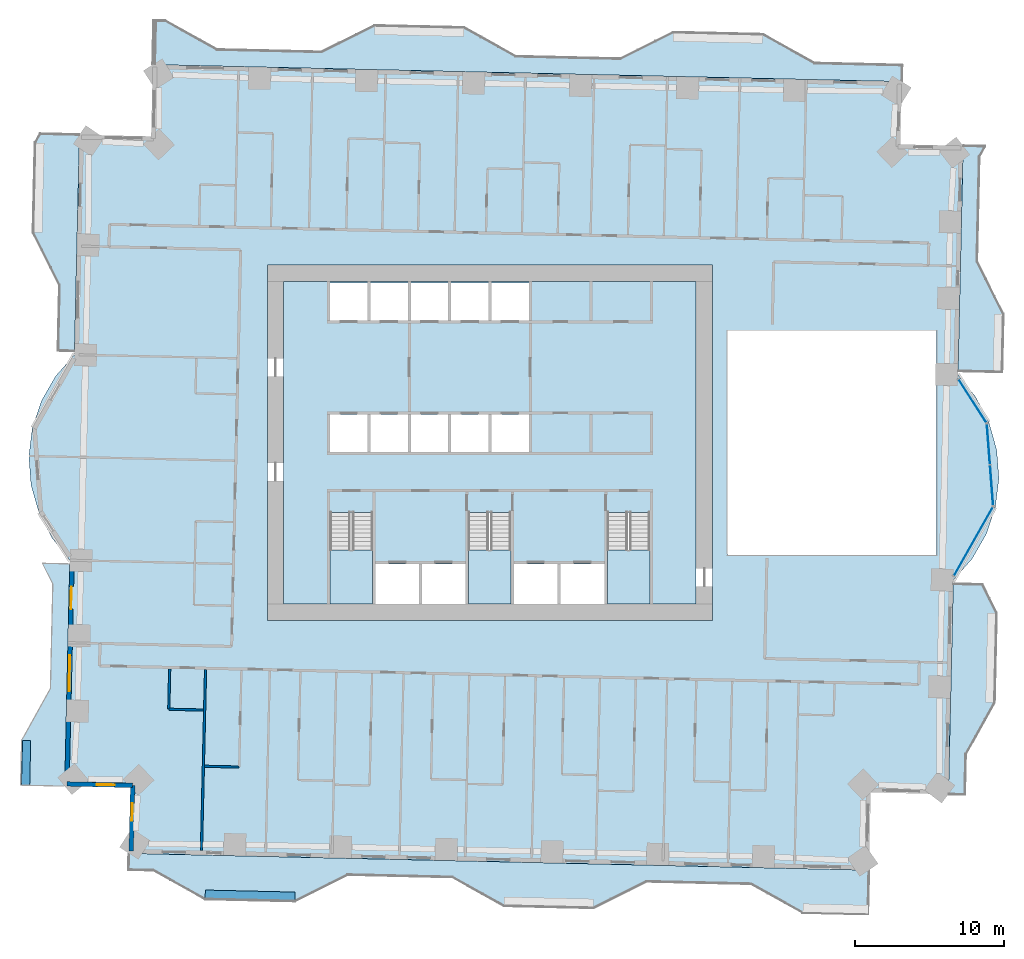
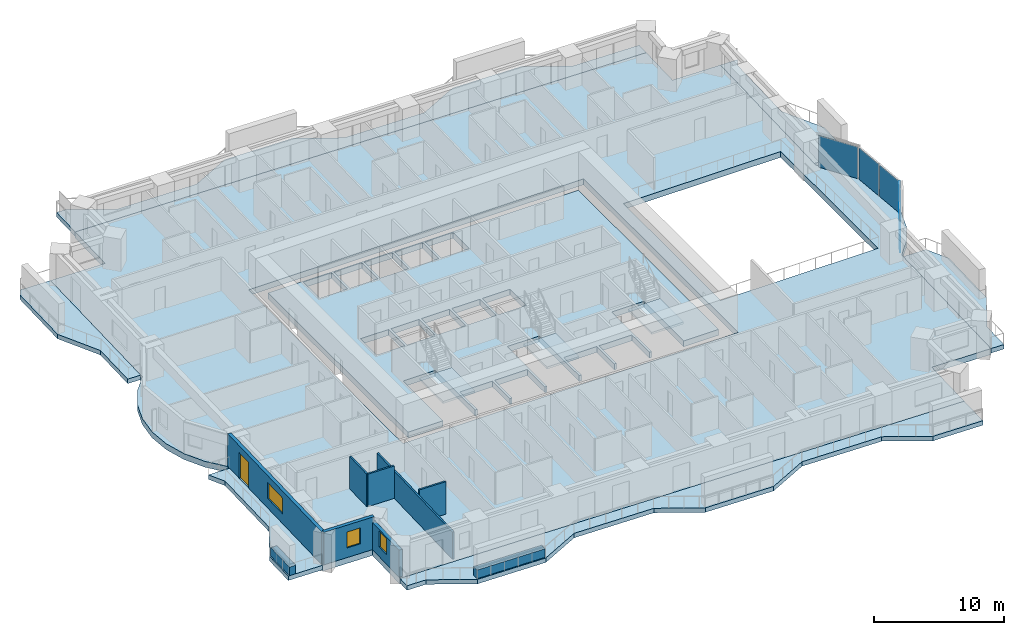
# One storey, part 6 of 19: 11 slabs, 9 walls, 4 plates, 3 windows, 1 door, 4 openings, 6 elements without a shape of their own.
"""IFC4 building model written with IfcOpenShell, lengths in metres."""

from ifc_helpers import new_model, si_unit, direction, frame, frame_2d, origin, origin_2d, place, context, subcontext, project, spatial, polyline, rectangle, outline, extrude, material, layer, layer_set, type_object, element, fill, aggregate, save


model = new_model("IFC4")

# Units and contexts
model_context = context("Model", 3, precision=1e-05, world=origin(), true_north=direction((0.0, 1.0)))
body_context = subcontext(model_context, "Body", "Model", "MODEL_VIEW")
ifc_project = project(units=[si_unit("LENGTHUNIT", "METRE"), si_unit("AREAUNIT", "SQUARE_METRE"), si_unit("VOLUMEUNIT", "CUBIC_METRE"), si_unit("PLANEANGLEUNIT", "RADIAN"), si_unit("MASSUNIT", "GRAM", prefix="KILO")], contexts=[model_context])

# Site, building, storey
site_placement = place(None, origin())
site = spatial("IfcSite", under=ifc_project, at=site_placement, CompositionType="ELEMENT")
building_placement = place(site_placement, origin())
building = spatial("IfcBuilding", under=site, at=building_placement, Name="Mangrove Gate Tower", CompositionType="ELEMENT")
storey_placement = place(building_placement, frame((0.0, 0.0, 63.89990234375)))
storey = spatial("IfcBuildingStorey", under=building, at=storey_placement, Name="L15", CompositionType="ELEMENT", Elevation=63.89990234375)

# Curtain wall, plate
ifc_material_1 = material(Name="Aluminium and glass curtain wall", Category="aluminium")
curtain_wall_type = type_object("IfcCurtainWallType", Name="Atrium garden-court glazing wall", PredefinedType="NOTDEFINED", material=ifc_material_1)
curtain_wall_1_placement = place(storey_placement, origin())
curtain_wall_1 = element("IfcCurtainWall", 1, at=curtain_wall_1_placement, inside=storey, type_object=curtain_wall_type, Name="Atrium garden-court glazing E1f1", PredefinedType="NOTDEFINED")
ifc_material_2 = material(Name="Laminated low-e glass", Category="glass")
ifc_layer_1 = layer(ifc_material_2, 0.031982421875)
ifc_layer_set_1 = layer_set([ifc_layer_1], Name="Atrium garden-court glazing panel 32")
plate_type = type_object("IfcPlateType", Name="Atrium garden-court glazing panel 32", PredefinedType="CURTAIN_PANEL", material=ifc_layer_set_1)
plate_1_placement = place(storey_placement, frame((32.34912109375, -6.600830078125, 0.0), z_axis=(0.0, 0.0, 1.0), x_axis=(0.492603686489, 0.870253760726, 0.0)))
plate_1 = element("IfcPlate", 2, at=plate_1_placement, type_object=plate_type, Name="CWA panel 1.1", PredefinedType="CURTAIN_PANEL", context=body_context, shape_type="SweptSolid", body=[
    extrude(rectangle(XDim=5.258544921875, YDim=0.031982421875, at=origin_2d()), origin(), (0.0, 0.0, 1.0), 2.97998046875),
])
aggregate(curtain_wall_1, [plate_1])

# Curtain wall, plates
curtain_wall_2_placement = place(storey_placement, origin())
curtain_wall_2 = element("IfcCurtainWall", 3, at=curtain_wall_2_placement, inside=storey, type_object=curtain_wall_type, Name="Atrium garden-court glazing E1f2", PredefinedType="NOTDEFINED")
plate_2_placement = place(storey_placement, frame((33.5703125, -2.84521484375, 0.0), z_axis=(0.0, 0.0, 1.0), x_axis=(-0.077023348212, 0.997029289354, 0.0)))
plate_2 = element("IfcPlate", 4, at=plate_2_placement, type_object=plate_type, Name="CWA panel 1.1", PredefinedType="CURTAIN_PANEL", context=body_context, shape_type="SweptSolid", body=[
    extrude(rectangle(XDim=2.681640625, YDim=0.031982421875, at=origin_2d()), origin(), (0.0, 0.0, 1.0), 2.97998046875),
])
plate_3_placement = place(storey_placement, frame((33.3583984375, -0.1015625, 0.0), z_axis=(0.0, 0.0, 1.0), x_axis=(-0.077023348212, 0.997029289354, 0.0)))
plate_3 = element("IfcPlate", 5, at=plate_3_placement, type_object=plate_type, Name="CWA panel 2.1", PredefinedType="CURTAIN_PANEL", context=body_context, shape_type="SweptSolid", body=[
    extrude(rectangle(XDim=2.681640625, YDim=0.031982421875, at=origin_2d()), origin(), (0.0, 0.0, 1.0), 2.97998046875),
])
aggregate(curtain_wall_2, [plate_2, plate_3])

# Curtain wall, plate
curtain_wall_3_placement = place(storey_placement, origin())
curtain_wall_3 = element("IfcCurtainWall", 6, at=curtain_wall_3_placement, inside=storey, type_object=curtain_wall_type, Name="Atrium garden-court glazing E1f3", PredefinedType="NOTDEFINED")
plate_4_placement = place(storey_placement, frame((32.284912109375, 2.806396484375, 0.0), z_axis=(0.0, 0.0, 1.0), x_axis=(-0.540524576597, 0.841328224948, 0.0)))
plate_4 = element("IfcPlate", 7, at=plate_4_placement, type_object=plate_type, Name="CWA panel 1.1", PredefinedType="CURTAIN_PANEL", context=body_context, shape_type="SweptSolid", body=[
    extrude(rectangle(XDim=3.42919921875, YDim=0.031982421875, at=origin_2d()), origin(), (0.0, 0.0, 1.0), 2.97998046875),
])
aggregate(curtain_wall_3, [plate_4])

# Slabs
ifc_material_3 = material(Name="Porcelain tile")
ifc_layer_2 = layer(ifc_material_3, 0.02001953125, Name="Tile finish")
ifc_material_4 = material(Name="Cement sand screed")
ifc_layer_3 = layer(ifc_material_4, 0.0400390625, Name="Screed laid to falls")
ifc_material_5 = material(Name="Bituminous waterproofing membrane")
ifc_layer_4 = layer(ifc_material_5, 0.00390625, Name="Waterproofing")
ifc_material_6 = material(Name="Concrete C40/50", Category="concrete")
ifc_layer_5 = layer(ifc_material_6, 0.340087890625, Name="Balcony structural slab")
ifc_material_7 = material(Name="Limestone", Category="masonry")
ifc_layer_6 = layer(ifc_material_7, 0.01611328125, Name="Soffit lining")
ifc_layer_set_2 = layer_set([ifc_layer_2, ifc_layer_3, ifc_layer_4, ifc_layer_5, ifc_layer_6], Name="Balcony slab 420 C40/50")
slab_type_1 = type_object("IfcSlabType", Name="Balcony slab 420 C40/50", PredefinedType="FLOOR", material=ifc_layer_set_2)
slab_1_placement = place(storey_placement, frame((0.0, 0.0, -0.419921875)))
element("IfcSlab", 8, at=slab_1_placement, inside=storey, type_object=slab_type_1, Name="BALCONY L15 E0", PredefinedType="FLOOR", context=body_context, shape_type="SweptSolid", body=[
    extrude(outline(polyline([(31.819091796875, -23.541015625), (31.8798828125, -20.842041015625), (33.80908203125, -17.385009765625), (33.945068359375, -11.385986328125), (32.9970703125, -9.489990234375), (30.9990234375, -9.444091796875), (30.9560546875, -11.319091796875), (30.820068359375, -17.31689453125), (30.740966796875, -20.81591796875), (30.678955078125, -23.514892578125), (31.819091796875, -23.541015625)])), origin(), (0.0, 0.0, 1.0), 0.419921875),
])
slab_2_placement = place(storey_placement, frame((0.0, 0.0, -0.419921875)))
element("IfcSlab", 9, at=slab_2_placement, inside=storey, type_object=slab_type_1, Name="BALCONY L15 E1", PredefinedType="FLOOR", context=body_context, shape_type="SweptSolid", body=[
    extrude(outline(polyline([(34.31103515625, 4.735107421875), (34.39892578125, 8.60888671875), (32.62890625, 12.14990234375), (32.7880859375, 19.14794921875), (33.174072265625, 19.839111328125), (31.6640625, 19.873046875), (31.64794921875, 19.174072265625), (31.489013671875, 12.175048828125), (31.409912109375, 8.676025390625), (31.322021484375, 4.802978515625), (34.31103515625, 4.735107421875)])), origin(), (0.0, 0.0, 1.0), 0.419921875),
])
slab_3_placement = place(storey_placement, frame((0.0, 0.0, -0.419921875)))
element("IfcSlab", 10, at=slab_3_placement, inside=storey, type_object=slab_type_1, Name="BALCONY L15 N0", PredefinedType="FLOOR", context=body_context, shape_type="SweptSolid", body=[
    extrude(outline(polyline([(27.5859375, 25.306884765625), (21.719970703125, 25.44091796875), (18.262939453125, 27.368896484375), (12.263916015625, 27.506103515625), (8.722900390625, 25.735107421875), (1.72509765625, 25.89404296875), (-1.73193359375, 27.822998046875), (-7.73095703125, 27.958984375), (-11.27197265625, 26.18994140625), (-18.27001953125, 26.347900390625), (-21.72705078125, 28.277099609375), (-22.4951171875, 28.2939453125), (-22.56298828125, 25.304931640625), (27.56005859375, 24.16796875), (27.5859375, 25.306884765625)])), origin(), (0.0, 0.0, 1.0), 0.419921875),
])
slab_4_placement = place(storey_placement, frame((0.0, 0.0, -0.419921875)))
element("IfcSlab", 11, at=slab_4_placement, inside=storey, type_object=slab_type_1, Name="BALCONY L15 W0", PredefinedType="FLOOR", context=body_context, shape_type="SweptSolid", body=[
    extrude(outline(polyline([(-30.14306640625, 20.676025390625), (-30.472900390625, 20.0830078125), (-30.60888671875, 14.0849609375), (-28.839111328125, 10.5439453125), (-28.93798828125, 6.169921875), (-27.799072265625, 6.14404296875), (-27.698974609375, 10.51806640625), (-27.6201171875, 14.01708984375), (-27.48388671875, 20.014892578125), (-27.469970703125, 20.614990234375), (-30.14306640625, 20.676025390625)])), origin(), (0.0, 0.0, 1.0), 0.419921875),
])
slab_5_placement = place(storey_placement, frame((0.0, 0.0, -0.419921875)))
element("IfcSlab", 12, at=slab_5_placement, inside=storey, type_object=slab_type_1, Name="BALCONY L15 W1", PredefinedType="FLOOR", context=body_context, shape_type="SweptSolid", body=[
    extrude(outline(polyline([(-29.988037109375, -8.06005859375), (-29.29296875, -9.450927734375), (-29.451904296875, -16.448974609375), (-31.381103515625, -19.906005859375), (-31.448974609375, -22.906005859375), (-28.4599609375, -22.97412109375), (-28.39111328125, -19.97412109375), (-28.31201171875, -16.47509765625), (-28.153076171875, -9.47705078125), (-28.1220703125, -8.10302734375), (-29.988037109375, -8.06005859375)])), origin(), (0.0, 0.0, 1.0), 0.419921875),
])
slab_6_placement = place(storey_placement, frame((0.0, 0.0, -0.419921875)))
element("IfcSlab", 13, at=slab_6_placement, inside=storey, type_object=slab_type_1, Name="BALCONY L15 S0", PredefinedType="FLOOR", context=body_context, shape_type="SweptSolid", body=[
    extrude(outline(polyline([(-24.18603515625, -28.612060546875), (-22.51904296875, -28.64990234375), (-19.06201171875, -30.5791015625), (-13.06298828125, -30.715087890625), (-9.52197265625, -28.945068359375), (-2.52392578125, -29.10400390625), (0.93310546875, -31.031982421875), (6.931884765625, -31.1689453125), (10.472900390625, -29.39892578125), (17.470947265625, -29.556884765625), (20.927978515625, -31.486083984375), (25.294921875, -31.5849609375), (25.363037109375, -28.595947265625), (-24.159912109375, -27.471923828125), (-24.18603515625, -28.612060546875)])), origin(), (0.0, 0.0, 1.0), 0.419921875),
])
ifc_material_8 = material(Name="Concrete C40/50", Category="concrete")
ifc_layer_7 = layer(ifc_material_8, 0.550048828125)
ifc_layer_set_3 = layer_set([ifc_layer_7], Name="Core floor slab 550 C40/50")
slab_type_2 = type_object("IfcSlabType", Name="Core floor slab 550 C40/50", PredefinedType="FLOOR", material=ifc_layer_set_3)
slab_7_placement = place(storey_placement, frame((0.0, 0.0, -0.5498046875)))
element("IfcSlab", 14, at=slab_7_placement, inside=storey, type_object=slab_type_2, Name="SLAB-L15-CORE-1", PredefinedType="FLOOR", context=body_context, shape_type="SweptSolid", body=[
    extrude(outline(polyline([(-13.800048828125, -10.800048828125), (-13.800048828125, 10.800048828125), (13.800048828125, 10.800048828125), (13.800048828125, -10.800048828125), (10.699951171875, -10.800048828125), (10.699951171875, -4.653076171875), (7.85009765625, -4.653076171875), (7.85009765625, -10.800048828125), (7.64990234375, -10.800048828125), (7.64990234375, -8.10009765625), (4.72509765625, -8.10009765625), (4.72509765625, -10.800048828125), (4.52490234375, -10.800048828125), (4.52490234375, -8.10009765625), (1.60009765625, -8.10009765625), (1.60009765625, -10.800048828125), (1.39990234375, -10.800048828125), (1.39990234375, -4.653076171875), (-1.449951171875, -4.653076171875), (-1.449951171875, -10.800048828125), (-1.64990234375, -10.800048828125), (-1.64990234375, -8.10009765625), (-4.550048828125, -8.10009765625), (-4.550048828125, -10.800048828125), (-4.75, -10.800048828125), (-4.75, -8.10009765625), (-7.64990234375, -8.10009765625), (-7.64990234375, -10.800048828125), (-7.85009765625, -10.800048828125), (-7.85009765625, -4.653076171875), (-10.699951171875, -4.653076171875), (-10.699951171875, -10.800048828125), (-13.800048828125, -10.800048828125)]), holes=[polyline([(-8.199951171875, -0.60009765625), (-8.199951171875, 1.89990234375), (-10.699951171875, 1.89990234375), (-10.699951171875, -0.60009765625), (-8.199951171875, -0.60009765625)]), polyline([(-5.5, -0.60009765625), (-5.5, 1.89990234375), (-8.0, 1.89990234375), (-8.0, -0.60009765625), (-5.5, -0.60009765625)]), polyline([(-2.800048828125, -0.60009765625), (-2.800048828125, 1.89990234375), (-5.300048828125, 1.89990234375), (-5.300048828125, -0.60009765625), (-2.800048828125, -0.60009765625)]), polyline([(-8.199951171875, 8.199951171875), (-8.199951171875, 10.699951171875), (-10.699951171875, 10.699951171875), (-10.699951171875, 8.199951171875), (-8.199951171875, 8.199951171875)]), polyline([(-5.5, 8.199951171875), (-5.5, 10.699951171875), (-8.0, 10.699951171875), (-8.0, 8.199951171875), (-5.5, 8.199951171875)]), polyline([(-2.800048828125, 8.199951171875), (-2.800048828125, 10.699951171875), (-5.300048828125, 10.699951171875), (-5.300048828125, 8.199951171875), (-2.800048828125, 8.199951171875)]), polyline([(-0.10009765625, -0.60009765625), (-0.10009765625, 1.89990234375), (-2.60009765625, 1.89990234375), (-2.60009765625, -0.60009765625), (-0.10009765625, -0.60009765625)]), polyline([(2.60009765625, -0.60009765625), (2.60009765625, 1.89990234375), (0.10009765625, 1.89990234375), (0.10009765625, -0.60009765625), (2.60009765625, -0.60009765625)]), polyline([(-2.60009765625, 8.199951171875), (-0.10009765625, 8.199951171875), (-0.10009765625, 10.699951171875), (-2.60009765625, 10.699951171875), (-2.60009765625, 8.199951171875)]), polyline([(0.10009765625, 8.199951171875), (2.60009765625, 8.199951171875), (2.60009765625, 10.699951171875), (0.10009765625, 10.699951171875), (0.10009765625, 8.199951171875)])]), origin(), (0.0, 0.0, 1.0), 0.5498046875),
])

# Stair, slab
ifc_material_9 = material(Name="Concrete C40/50", Category="concrete")
stair_type = type_object("IfcStairType", Name="Core stair 1350", PredefinedType="HALF_TURN_STAIR", material=ifc_material_9)
stair_1_placement = place(storey_placement, origin())
stair_1 = element("IfcStair", 15, at=stair_1_placement, inside=storey, type_object=stair_type, Name="L15 Stair 1", PredefinedType="HALF_TURN_STAIR")
ifc_material_10 = material(Name="Concrete C40/50", Category="concrete")
ifc_layer_8 = layer(ifc_material_10, 0.199951171875)
ifc_layer_set_4 = layer_set([ifc_layer_8], Name="Core stair landing 200")
slab_type_3 = type_object("IfcSlabType", Name="Core stair landing 200", PredefinedType="LANDING", material=ifc_layer_set_4)
slab_8_placement = place(storey_placement, frame((0.0, 0.0, 1.60009765625)))
slab_8 = element("IfcSlab", 16, at=slab_8_placement, type_object=slab_type_3, Name="ST1 landing 1", PredefinedType="LANDING", context=body_context, shape_type="SweptSolid", body=[
    extrude(outline(polyline([(-10.699951171875, -7.169921875), (-10.699951171875, -10.800048828125), (-7.85009765625, -10.800048828125), (-7.85009765625, -7.169921875), (-10.699951171875, -7.169921875)])), origin(), (0.0, 0.0, 1.0), 0.199951171875),
])
aggregate(stair_1, [slab_8])

stair_2_placement = place(storey_placement, origin())
stair_2 = element("IfcStair", 17, at=stair_2_placement, inside=storey, type_object=stair_type, Name="L15 Stair 2", PredefinedType="HALF_TURN_STAIR")
slab_9_placement = place(storey_placement, frame((0.0, 0.0, 1.60009765625)))
slab_9 = element("IfcSlab", 18, at=slab_9_placement, type_object=slab_type_3, Name="ST2 landing 1", PredefinedType="LANDING", context=body_context, shape_type="SweptSolid", body=[
    extrude(outline(polyline([(-1.449951171875, -7.169921875), (-1.449951171875, -10.800048828125), (1.39990234375, -10.800048828125), (1.39990234375, -7.169921875), (-1.449951171875, -7.169921875)])), origin(), (0.0, 0.0, 1.0), 0.199951171875),
])
aggregate(stair_2, [slab_9])

stair_3_placement = place(storey_placement, origin())
stair_3 = element("IfcStair", 19, at=stair_3_placement, inside=storey, type_object=stair_type, Name="L15 Stair 3", PredefinedType="HALF_TURN_STAIR")
slab_10_placement = place(storey_placement, frame((0.0, 0.0, 1.60009765625)))
slab_10 = element("IfcSlab", 20, at=slab_10_placement, type_object=slab_type_3, Name="ST3 landing 1", PredefinedType="LANDING", context=body_context, shape_type="SweptSolid", body=[
    extrude(outline(polyline([(7.85009765625, -7.169921875), (7.85009765625, -10.800048828125), (10.699951171875, -10.800048828125), (10.699951171875, -7.169921875), (7.85009765625, -7.169921875)])), origin(), (0.0, 0.0, 1.0), 0.199951171875),
])
aggregate(stair_3, [slab_10])

# Slab
ifc_material_11 = material(Name="Concrete C40/50", Category="concrete")
ifc_layer_9 = layer(ifc_material_11, 0.550048828125)
ifc_layer_set_5 = layer_set([ifc_layer_9], Name="Floor slab 550 C40/50")
slab_type_4 = type_object("IfcSlabType", Name="Floor slab 550 C40/50", PredefinedType="FLOOR", material=ifc_layer_set_5)
slab_11_placement = place(storey_placement, frame((0.0, 0.0, -0.5498046875)))
element("IfcSlab", 21, at=slab_11_placement, inside=storey, type_object=slab_type_4, Name="Floor slab L15", PredefinedType="FLOOR", context=body_context, shape_type="SweptSolid", body=[
    extrude(outline(polyline([(-24.160400390625, -27.47216796875), (25.36279296875, -28.595947265625), (25.480712890625, -23.3974609375), (30.679443359375, -23.515380859375), (31.00439453125, -9.1943359375), (32.267333984375, -7.7578125), (33.220458984375, -6.099365234375), (33.825927734375, -4.28515625), (34.0595703125, -2.38671875), (33.912353515625, -0.4794921875), (33.389892578125, 1.360595703125), (32.512939453125, 3.060302734375), (31.31640625, 4.552734375), (31.6640625, 19.87353515625), (27.465087890625, 19.96875), (27.560302734375, 24.167724609375), (-22.562744140625, 25.30517578125), (-22.671630859375, 20.50634765625), (-27.470458984375, 20.615234375), (-27.804443359375, 5.894287109375), (-29.0673828125, 4.457763671875), (-30.0205078125, 2.799560546875), (-30.6259765625, 0.985107421875), (-30.859619140625, -0.913330078125), (-30.71240234375, -2.820556640625), (-30.18994140625, -4.660400390625), (-29.31298828125, -6.3603515625), (-28.116455078125, -7.852783203125), (-28.45947265625, -22.9736328125), (-24.060546875, -23.0732421875), (-24.160400390625, -27.47216796875)]), holes=[polyline([(15.89990234375, 7.5), (29.889892578125, 7.5), (29.889892578125, -7.5), (15.89990234375, -7.5), (15.89990234375, 7.5)]), polyline([(-14.89990234375, -11.89990234375), (-14.89990234375, 11.89990234375), (14.89990234375, 11.89990234375), (14.89990234375, -11.89990234375), (-14.89990234375, -11.89990234375)])]), origin(), (0.0, 0.0, 1.0), 0.5498046875),
])

# Wall, openings, door, window
ifc_layer_10 = layer(ifc_material_7, 0.0400390625, Name="Limestone cladding")
ifc_material_12 = material(Name="Ventilated air gap")
ifc_layer_11 = layer(ifc_material_12, 0.0400390625, Name="Ventilated cavity")
ifc_material_13 = material(Name="Mineral wool insulation")
ifc_layer_12 = layer(ifc_material_13, 0.06005859375, Name="Insulation")
ifc_material_14 = material(Name="Breather membrane")
ifc_layer_13 = layer(ifc_material_14, 0.001953125, Name="Breather membrane")
ifc_material_15 = material(Name="Concrete C20/25 blockwork", Category="masonry")
ifc_layer_14 = layer(ifc_material_15, 0.14990234375, Name="Blockwork backing wall")
ifc_material_16 = material(Name="Gypsum plaster")
ifc_layer_15 = layer(ifc_material_16, 0.008056640625, Name="Internal plaster")
ifc_layer_set_6 = layer_set([ifc_layer_10, ifc_layer_11, ifc_layer_12, ifc_layer_13, ifc_layer_14, ifc_layer_15], Name="External wall 300 limestone cladding")
wall_type_1 = type_object("IfcWallType", Name="External wall 300 limestone cladding", PredefinedType="SOLIDWALL", material=ifc_layer_set_6)
wall_1_placement = place(storey_placement, frame((-27.965087890625, -7.802001953125, 0.0), z_axis=(0.0, 0.0, 1.0), x_axis=(-0.02267786199, -0.999742824218, 0.0)))
wall_1 = element("IfcWall", 22, at=wall_1_placement, inside=storey, type_object=wall_type_1, Name="WALL-L15-W10", PredefinedType="SOLIDWALL", context=body_context, shape_type="SweptSolid", body=[
    extrude(rectangle(XDim=15.02880859375, YDim=0.300048828125, at=frame_2d((7.514404296875, 0.0))), origin(), (0.0, 0.0, 1.0), 3.050048828125),
])
opening_1_placement = place(wall_1_placement, frame((1.825927734375, 0.0, 0.0)))
opening_1 = element("IfcOpeningElement", 23, at=opening_1_placement, cuts=wall_1, Name="Opening BD1", PredefinedType="OPENING", context=body_context, shape_type="SweptSolid", body=[
    extrude(rectangle(XDim=1.5, YDim=2.39990234375, at=frame_2d((0.75, 1.199951171875))), frame((0.0, 0.159912109375, 0.0), z_axis=(0.0, -1.0, 0.0), x_axis=(1.0, 0.0, 0.0)), (0.0, 0.0, 1.0), 0.320068359375),
])
opening_2_placement = place(wall_1_placement, frame((6.4169921875, 0.0, 0.89990234375)))
opening_2 = element("IfcOpeningElement", 24, at=opening_2_placement, cuts=wall_1, Name="Opening W2", PredefinedType="OPENING", context=body_context, shape_type="SweptSolid", body=[
    extrude(rectangle(XDim=2.39990234375, YDim=1.5, at=frame_2d((1.199951171875, 0.75))), frame((0.0, 0.159912109375, 0.0), z_axis=(0.0, -1.0, 0.0), x_axis=(1.0, 0.0, 0.0)), (0.0, 0.0, 1.0), 0.320068359375),
])
ifc_material_17 = material(Name="Aluminium frame with laminated clear glass", Category="aluminium")
door_type = type_object("IfcDoorType", Name="Balcony sliding door 1500x2400", OperationType="SLIDING_TO_LEFT", PredefinedType="DOOR", material=ifc_material_17)
door_placement = place(opening_1_placement, origin())
door = element("IfcDoor", 25, at=door_placement, inside=storey, type_object=door_type, Name="DOOR-L15-W10-1", OperationType="SLIDING_TO_LEFT", OverallHeight=2.39990234375, OverallWidth=1.5, PredefinedType="DOOR", context=body_context, shape_type="SweptSolid", body=[
    extrude(rectangle(XDim=1.5, YDim=2.39990234375, at=frame_2d((0.75, 1.199951171875))), frame((0.0, 0.02490234375, 0.0), z_axis=(0.0, -1.0, 0.0), x_axis=(1.0, 0.0, 0.0)), (0.0, 0.0, 1.0), 0.050048828125),
])
fill(opening_1, door)
ifc_material_18 = material(Name="Aluminium frame with double-glazed low-e glass", Category="aluminium")
window_type_1 = type_object("IfcWindowType", Name="Corner room window 2400x1500", PartitioningType="DOUBLE_PANEL_VERTICAL", PredefinedType="WINDOW", material=ifc_material_18)
window_1_placement = place(opening_2_placement, origin())
window_1 = element("IfcWindow", 26, at=window_1_placement, inside=storey, type_object=window_type_1, Name="WIN-L15-W10-2", OverallHeight=1.5, OverallWidth=2.39990234375, PartitioningType="DOUBLE_PANEL_VERTICAL", PredefinedType="WINDOW", context=body_context, shape_type="SweptSolid", body=[
    extrude(rectangle(XDim=2.39990234375, YDim=1.5, at=frame_2d((1.199951171875, 0.75))), frame((0.0, 0.030029296875, 0.0), z_axis=(0.0, -1.0, 0.0), x_axis=(1.0, 0.0, 0.0)), (0.0, 0.0, 1.0), 0.06005859375),
])
fill(opening_2, window_1)

# Wall, opening, window
wall_2_placement = place(storey_placement, frame((-28.305908203125, -22.826904296875, 0.0), z_axis=(0.0, 0.0, 1.0), x_axis=(0.999741204967, -0.022749133868, 0.0)))
wall_2 = element("IfcWall", 27, at=wall_2_placement, inside=storey, type_object=wall_type_1, Name="WALL-L15-S11", PredefinedType="SOLIDWALL", context=body_context, shape_type="SweptSolid", body=[
    extrude(rectangle(XDim=4.400146484375, YDim=0.300048828125, at=frame_2d((2.2001953125, 0.0))), origin(), (0.0, 0.0, 1.0), 3.050048828125),
])
opening_3_placement = place(wall_2_placement, frame((1.99609375, 0.0, 0.89990234375)))
opening_3 = element("IfcOpeningElement", 28, at=opening_3_placement, cuts=wall_2, Name="Opening W1", PredefinedType="OPENING", context=body_context, shape_type="SweptSolid", body=[
    extrude(rectangle(XDim=1.199951171875, YDim=1.5, at=frame_2d((0.60009765625, 0.75))), frame((0.0, 0.159912109375, 0.0), z_axis=(0.0, -1.0, 0.0), x_axis=(1.0, 0.0, 0.0)), (0.0, 0.0, 1.0), 0.320068359375),
])
ifc_material_19 = material(Name="Aluminium frame with double-glazed low-e glass", Category="aluminium")
window_type_2 = type_object("IfcWindowType", Name="Side lite 1200x1500", PartitioningType="SINGLE_PANEL", PredefinedType="WINDOW", material=ifc_material_19)
window_2_placement = place(opening_3_placement, origin())
window_2 = element("IfcWindow", 29, at=window_2_placement, inside=storey, type_object=window_type_2, Name="WIN-L15-S11-1", OverallHeight=1.5, OverallWidth=1.199951171875, PartitioningType="SINGLE_PANEL", PredefinedType="WINDOW", context=body_context, shape_type="SweptSolid", body=[
    extrude(rectangle(XDim=1.199951171875, YDim=1.5, at=frame_2d((0.60009765625, 0.75))), frame((0.0, 0.030029296875, 0.0), z_axis=(0.0, -1.0, 0.0), x_axis=(1.0, 0.0, 0.0)), (0.0, 0.0, 1.0), 0.06005859375),
])
fill(opening_3, window_2)

wall_3_placement = place(storey_placement, frame((-23.906982421875, -22.927001953125, 0.0), z_axis=(0.0, 0.0, 1.0), x_axis=(-0.022749133868, -0.999741204967, 0.0)))
wall_3 = element("IfcWall", 30, at=wall_3_placement, inside=storey, type_object=wall_type_1, Name="WALL-L15-W12", PredefinedType="SOLIDWALL", context=body_context, shape_type="SweptSolid", body=[
    extrude(rectangle(XDim=4.400146484375, YDim=0.300048828125, at=frame_2d((2.2001953125, 0.0))), origin(), (0.0, 0.0, 1.0), 2.550048828125),
])
opening_4_placement = place(wall_3_placement, frame((1.179931640625, 0.0, 0.89990234375)))
opening_4 = element("IfcOpeningElement", 31, at=opening_4_placement, cuts=wall_3, Name="Opening W1", PredefinedType="OPENING", context=body_context, shape_type="SweptSolid", body=[
    extrude(rectangle(XDim=1.199951171875, YDim=1.5, at=frame_2d((0.60009765625, 0.75))), frame((0.0, 0.159912109375, 0.0), z_axis=(0.0, -1.0, 0.0), x_axis=(1.0, 0.0, 0.0)), (0.0, 0.0, 1.0), 0.320068359375),
])
window_3_placement = place(opening_4_placement, origin())
window_3 = element("IfcWindow", 32, at=window_3_placement, inside=storey, type_object=window_type_2, Name="WIN-L15-W12-1", OverallHeight=1.5, OverallWidth=1.199951171875, PartitioningType="SINGLE_PANEL", PredefinedType="WINDOW", context=body_context, shape_type="SweptSolid", body=[
    extrude(rectangle(XDim=1.199951171875, YDim=1.5, at=frame_2d((0.60009765625, 0.75))), frame((0.0, 0.030029296875, 0.0), z_axis=(0.0, -1.0, 0.0), x_axis=(1.0, 0.0, 0.0)), (0.0, 0.0, 1.0), 0.06005859375),
])
fill(opening_4, window_3)

# Walls
ifc_material_20 = material(Name="Gypsum board on steel stud, EI 60", Category="steel")
ifc_layer_16 = layer(ifc_material_20, 0.14990234375)
ifc_layer_set_7 = layer_set([ifc_layer_16], Name="Party wall 150 EI 60")
wall_type_2 = type_object("IfcWallType", Name="Party wall 150 EI 60", PredefinedType="PARTITIONING", material=ifc_layer_set_7)
wall_4_placement = place(storey_placement, frame((-19.306884765625, -27.282958984375, 0.0), z_axis=(0.0, 0.0, 1.0), x_axis=(0.022717280737, 0.999741929278, 0.0)))
element("IfcWall", 33, at=wall_4_placement, inside=storey, type_object=wall_type_2, Name="WALL-L15-001", PredefinedType="PARTITIONING", context=body_context, shape_type="SweptSolid", body=[
    extrude(rectangle(XDim=12.10107421875, YDim=0.14990234375, at=frame_2d((6.050537109375, 0.0))), origin(), (0.0, 0.0, 1.0), 2.550048828125),
])
wall_5_placement = place(storey_placement, frame((-19.10205078125, -21.64501953125, 0.0), z_axis=(0.0, 0.0, 1.0), x_axis=(0.999740260747, -0.02279059109, 0.0)))
element("IfcWall", 34, at=wall_5_placement, inside=storey, type_object=wall_type_2, Name="WALL-L15-025", PredefinedType="PARTITIONING", context=body_context, shape_type="SweptSolid", body=[
    extrude(rectangle(XDim=2.324462890625, YDim=0.14990234375, at=frame_2d((1.162109375, 0.0))), origin(), (0.0, 0.0, 1.0), 3.050048828125),
])
wall_6_placement = place(storey_placement, frame((-21.492919921875, -17.830078125, 0.0), z_axis=(0.0, 0.0, 1.0), x_axis=(0.02260842146, 0.999744396973, 0.0)))
element("IfcWall", 35, at=wall_6_placement, inside=storey, type_object=wall_type_2, Name="WALL-L15-029", PredefinedType="PARTITIONING", context=body_context, shape_type="SweptSolid", body=[
    extrude(rectangle(XDim=2.69970703125, YDim=0.14990234375, at=frame_2d((1.349853515625, 0.0))), origin(), (0.0, 0.0, 1.0), 3.050048828125),
])
wall_7_placement = place(storey_placement, frame((-21.490966796875, -17.830078125, 0.0), z_axis=(0.0, 0.0, 1.0), x_axis=(0.999740260747, -0.02279059109, 0.0)))
element("IfcWall", 36, at=wall_7_placement, inside=storey, type_object=wall_type_2, Name="WALL-L15-030", PredefinedType="PARTITIONING", context=body_context, shape_type="SweptSolid", body=[
    extrude(rectangle(XDim=2.324462890625, YDim=0.14990234375, at=frame_2d((1.162109375, 0.0))), origin(), (0.0, 0.0, 1.0), 3.050048828125),
])
ifc_material_21 = material(Name="Concrete C32/40", Category="concrete")
ifc_layer_17 = layer(ifc_material_21, 0.199951171875, Name="Planter trough wall")
ifc_layer_18 = layer(ifc_material_5, 0.0048828125, Name="Waterproofing")
ifc_material_22 = material(Name="Drainage board and gravel")
ifc_layer_19 = layer(ifc_material_22, 0.044921875, Name="Drainage layer")
ifc_material_23 = material(Name="Planting soil")
ifc_layer_20 = layer(ifc_material_23, 0.300048828125, Name="Growing medium")
ifc_layer_set_8 = layer_set([ifc_layer_17, ifc_layer_18, ifc_layer_19, ifc_layer_20], Name="Planter wall 550 C32/40")
wall_type_3 = type_object("IfcWallType", Name="Planter wall 550 C32/40", PredefinedType="USERDEFINED", material=ifc_layer_set_8)
wall_8_placement = place(storey_placement, frame((-31.073974609375, -22.9140625, 0.0), z_axis=(0.0, 0.0, 1.0), x_axis=(0.022625271604, 0.999744015778, 0.0)))
element("IfcWall", 37, at=wall_8_placement, inside=storey, type_object=wall_type_3, Name="PLANTER L15 W1.1", ObjectType="PLANTER", PredefinedType="USERDEFINED", context=body_context, shape_type="SweptSolid", body=[
    extrude(rectangle(XDim=2.999755859375, YDim=0.550048828125, at=frame_2d((1.5, 0.0))), origin(), (0.0, 0.0, 1.0), 0.800048828125),
])
wall_9_placement = place(storey_placement, frame((-19.052978515625, -30.2041015625, 0.0), z_axis=(0.0, 0.0, 1.0), x_axis=(0.999743094499, -0.022665943652, 0.0)))
element("IfcWall", 38, at=wall_9_placement, inside=storey, type_object=wall_type_3, Name="PLANTER L15 S0.1", ObjectType="PLANTER", PredefinedType="USERDEFINED", context=body_context, shape_type="SweptSolid", body=[
    extrude(rectangle(XDim=5.99951171875, YDim=0.550048828125, at=frame_2d((2.999755859375, 0.0))), origin(), (0.0, 0.0, 1.0), 0.800048828125),
])

save(model, "model.ifc")
